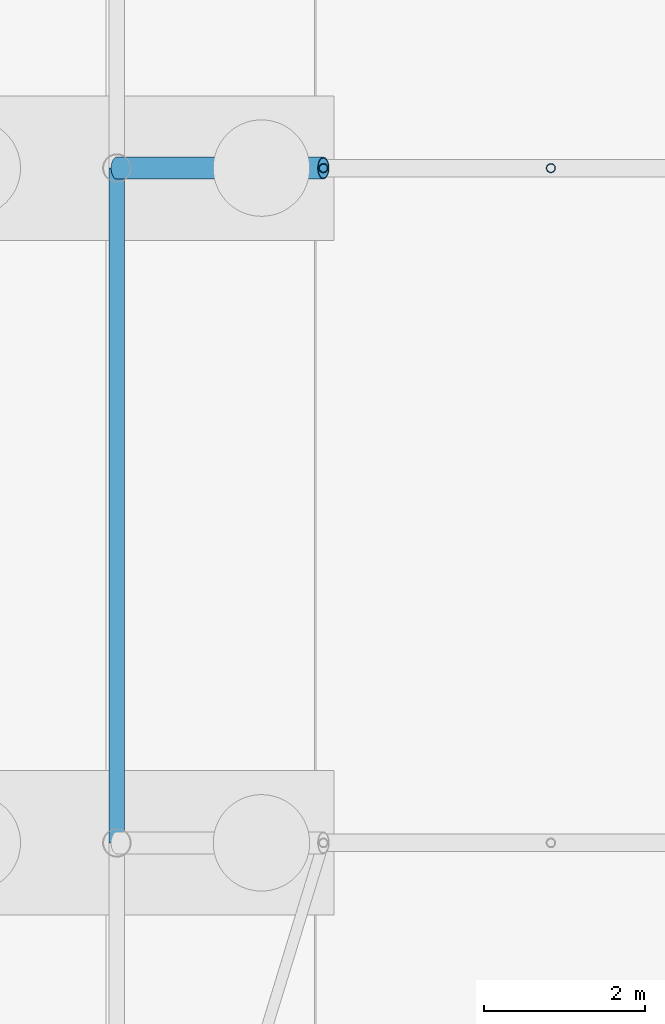
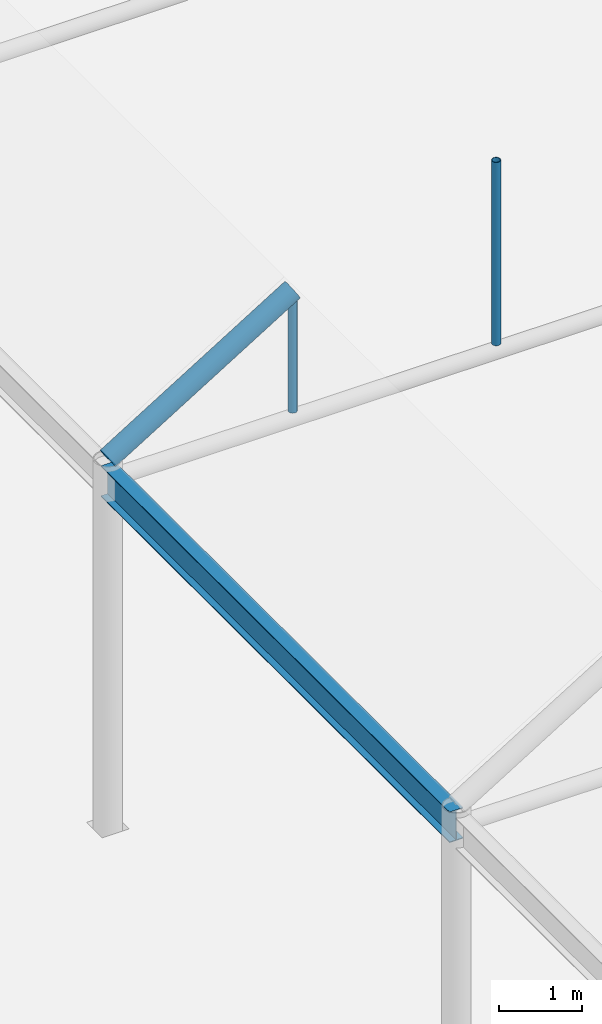
# One storey, part 89 of 212: 3 members, 1 beam.
"""IFC4 building model written with IfcOpenShell, lengths in metres."""

from ifc_helpers import new_model, si_unit, direction, frame, origin, origin_2d, place, context, subcontext, project, spatial, hollow_circle, i_section, extrude, material, material_profile, profile_set, type_object, element, save


model = new_model("IFC4")

# Units and contexts
model_context = context("Model", 3, precision=1e-05, world=origin(), true_north=direction((0.0, 1.0)))
body_context = subcontext(model_context, "Body", "Model", "MODEL_VIEW")
ifc_project = project(units=[si_unit("LENGTHUNIT", "METRE"), si_unit("AREAUNIT", "SQUARE_METRE"), si_unit("VOLUMEUNIT", "CUBIC_METRE"), si_unit("PLANEANGLEUNIT", "RADIAN"), si_unit("MASSUNIT", "GRAM", prefix="KILO")], contexts=[model_context])

# Site, building, storey
site_placement = place(None, origin())
site = spatial("IfcSite", under=ifc_project, at=site_placement, CompositionType="ELEMENT")
building_placement = place(site_placement, origin())
building = spatial("IfcBuilding", under=site, at=building_placement, Name="Catenary Quay Ferry Terminal", CompositionType="ELEMENT")
storey_placement = place(building_placement, origin())
storey = spatial("IfcBuildingStorey", under=building, at=storey_placement, Name="L00", CompositionType="ELEMENT", Elevation=0.0)

# Beam
ifc_material_1 = material(Name="Steel S355", Category="steel")
ifc_material_profile_1 = material_profile(ifc_material_1, i_section(OverallWidth=0.18994140625, OverallDepth=0.453369140625, WebThickness=0.008544921875, FlangeThickness=0.0126953125, at=origin_2d()), Name="UB 457x191x67")
ifc_profile_set_1 = profile_set([ifc_material_profile_1], Name="Steel S355")
beam_type = type_object("IfcBeamType", Name="B1 UB 457x191x67", PredefinedType="BEAM", material=ifc_profile_set_1)
beam_placement = place(storey_placement, frame((8.39990234375, 75.60009765625, 5.10009765625), z_axis=(0.0, 1.0, 0.0), x_axis=(-1.0, 0.0, 0.0)))
element("IfcBeam", 1, at=beam_placement, inside=storey, type_object=beam_type, Name="Eaves beam B-FB2", PredefinedType="BEAM", context=body_context, shape_type="SweptSolid", body=[
    extrude(i_section(OverallWidth=0.18994140625, OverallDepth=0.453369140625, WebThickness=0.008544921875, FlangeThickness=0.0126953125, at=origin_2d()), origin(), (0.0, 0.0, 1.0), 8.39990234375),
])

# Members
ifc_material_2 = material(Name="Steel S355", Category="steel")
ifc_material_profile_2 = material_profile(ifc_material_2, hollow_circle(Radius=0.05712890625, WallThickness=0.00634765625, at=origin_2d()), Name="CHS 114.3x6.3")
ifc_profile_set_2 = profile_set([ifc_material_profile_2], Name="Steel S355")
member_type_1 = type_object("IfcMemberType", Name="HG1 CHS 114.3x6.3", PredefinedType="POST", material=ifc_profile_set_2)
member_1_placement = place(storey_placement, frame((10.970947265625, 84.0, 5.205078125), z_axis=(0.0, 0.0, 1.0), x_axis=(1.0, 0.0, 0.0)))
element("IfcMember", 2, at=member_1_placement, inside=storey, type_object=member_type_1, Name="Hanger FC-03-01", PredefinedType="POST", context=body_context, shape_type="SweptSolid", body=[
    extrude(hollow_circle(Radius=0.05712890625, WallThickness=0.00634765625, at=origin_2d()), origin(), (0.0, 0.0, 1.0), 1.64892578125),
])
member_2_placement = place(storey_placement, frame((13.802978515625, 84.0, 5.205078125), z_axis=(0.0, 0.0, 1.0), x_axis=(1.0, 0.0, 0.0)))
element("IfcMember", 3, at=member_2_placement, inside=storey, type_object=member_type_1, Name="Hanger FC-03-02", PredefinedType="POST", context=body_context, shape_type="SweptSolid", body=[
    extrude(hollow_circle(Radius=0.05712890625, WallThickness=0.00634765625, at=origin_2d()), origin(), (0.0, 0.0, 1.0), 2.69580078125),
])
ifc_material_3 = material(Name="Steel S355", Category="steel")
ifc_material_profile_3 = material_profile(ifc_material_3, hollow_circle(Radius=0.136474609375, WallThickness=0.012451171875, at=origin_2d()), Name="CHS 273x12.5")
ifc_profile_set_3 = profile_set([ifc_material_profile_3], Name="Steel S355")
member_type_2 = type_object("IfcMemberType", Name="VR2 CHS 273x12.5", PredefinedType="RAFTER", material=ifc_profile_set_3)
member_3_placement = place(storey_placement, frame((8.39990234375, 84.0, 5.39990234375), z_axis=(0.851391726314, 0.0, 0.524530388408), x_axis=(0.0, 1.0, 0.0)))
element("IfcMember", 4, at=member_3_placement, inside=storey, type_object=member_type_2, Name="rib FC-03-01", PredefinedType="RAFTER", context=body_context, shape_type="SweptSolid", body=[
    extrude(hollow_circle(Radius=0.136474609375, WallThickness=0.012451171875, at=origin_2d()), origin(), (0.0, 0.0, 1.0), 3.019775390625),
])

save(model, "model.ifc")
